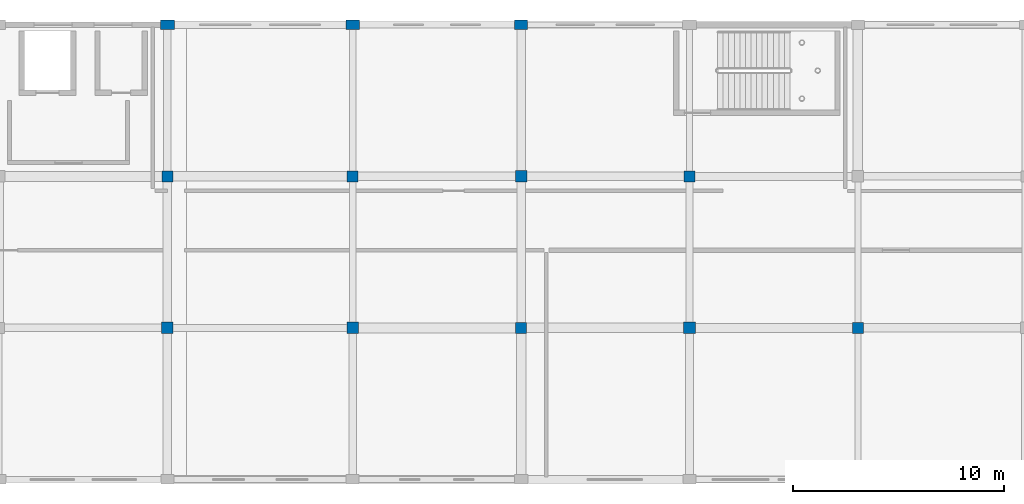
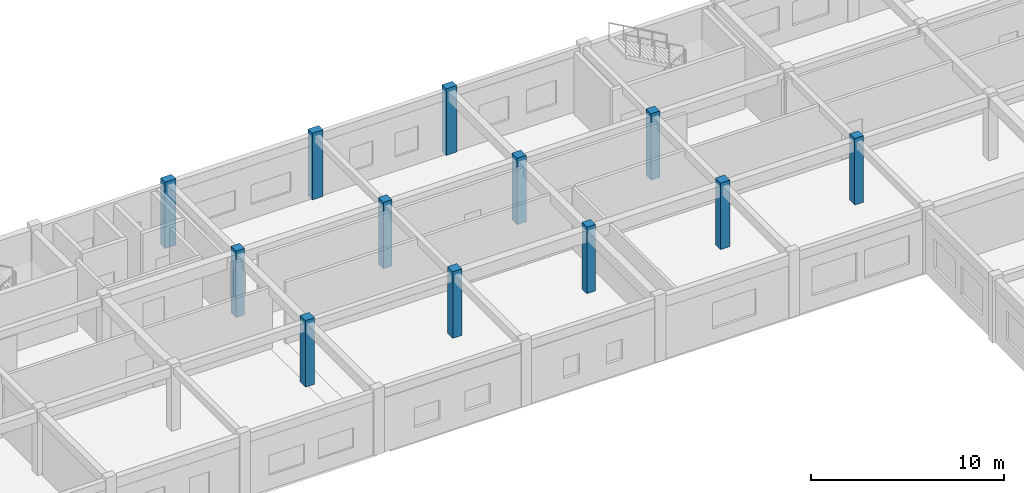
# One storey, part 3 of 19: 12 columns.
"""IFC4 building model written with IfcOpenShell, lengths in metres."""

import ifcopenshell
import ifcopenshell.guid

model = None  # the IFC model being written
_history = None  # IfcOwnerHistory: only IFC2X3 demands one
_inside = {}  # id of a spatial element -> (the spatial element, [elements in it])
_under = {}  # id of a project, library or spatial element -> (it, [spatial elements below it])
_declared = {}  # id of a project -> (the project, [libraries it declares])
_typed = {}  # id of a type object -> (the type object, [elements of that type])
_made_of = {}  # id of a material, layer set ... -> (it, [elements and type objects made of it])


def new_model(schema):
    """Start an empty IFC model of exactly this schema.

    Asked for "IFC4X3", IfcOpenShell would pick the latest addendum, in which some entities
    have other attributes; the version numbers below select the first issue.
    IFC2X3 requires an IfcOwnerHistory on every rooted entity: one is made here for all.
    """
    global model, _history
    if schema == "IFC4X3":
        model = ifcopenshell.file(schema_version=(4, 3, 0, 0))
    else:
        model = ifcopenshell.file(schema=schema)
    _inside.clear()
    _under.clear()
    _declared.clear()
    _typed.clear()
    _made_of.clear()
    _history = None
    if model.schema == "IFC2X3":
        org = make("IfcOrganization", Name="unknown")
        user = make(
            "IfcPersonAndOrganization",
            ThePerson=make("IfcPerson", FamilyName="unknown"),
            TheOrganization=org,
        )
        app = make(
            "IfcApplication",
            ApplicationDeveloper=org,
            Version="unknown",
            ApplicationFullName="unknown",
            ApplicationIdentifier="unknown",
        )
        _history = make(
            "IfcOwnerHistory",
            OwningUser=user,
            OwningApplication=app,
            ChangeAction="ADDED",
            CreationDate=0,
        )
    return model


def make(cls, **values):
    """One entity of the class cls with the attributes given. An attribute that is None is left unset."""
    return model.create_entity(
        cls, **{name: value for name, value in values.items() if value is not None}
    )


def rooted(cls, **values):
    """An entity with a GlobalId (a new one), such as an element, a storey or a relation."""
    return make(cls, GlobalId=ifcopenshell.guid.new(), OwnerHistory=_history, **values)


def si_unit(unit_type, name, prefix=None):
    """IfcSIUnit, for example si_unit("LENGTHUNIT", "METRE", prefix="MILLI")."""
    return make("IfcSIUnit", UnitType=unit_type, Prefix=prefix, Name=name)


def assignment(units):
    """IfcUnitAssignment: the units of a project."""
    return None if units is None else make("IfcUnitAssignment", Units=units)


def point(xyz):
    """IfcCartesianPoint."""
    return None if xyz is None else make("IfcCartesianPoint", Coordinates=xyz)


def direction(xyz):
    """IfcDirection."""
    return None if xyz is None else make("IfcDirection", DirectionRatios=xyz)


def frame(location, z_axis=None, x_axis=None):
    """IfcAxis2Placement3D, a coordinate frame: its origin and axes. An axis left out is left unset."""
    return make(
        "IfcAxis2Placement3D",
        Location=point(location),
        Axis=direction(z_axis),
        RefDirection=direction(x_axis),
    )


def frame_2d(location, x_axis=None):
    """IfcAxis2Placement2D, a coordinate frame in the plane: its origin and x axis."""
    return make(
        "IfcAxis2Placement2D", Location=point(location), RefDirection=direction(x_axis)
    )


def origin():
    """The frame at (0, 0, 0) with its axes left unset."""
    return frame((0.0, 0.0, 0.0))


def origin_2d():
    """The frame at (0, 0) in the plane with its x axis left unset."""
    return frame_2d((0.0, 0.0))


def place(relative_to, where):
    """IfcLocalPlacement: puts the frame where relative to a parent placement (None: the world)."""
    return make(
        "IfcLocalPlacement", PlacementRelTo=relative_to, RelativePlacement=where
    )


def context(
    kind, dimensions, precision=None, world=None, true_north=None, identifier=None
):
    """IfcGeometricRepresentationContext, for example the 3D "Model" context."""
    return make(
        "IfcGeometricRepresentationContext",
        ContextIdentifier=identifier,
        ContextType=kind,
        CoordinateSpaceDimension=dimensions,
        Precision=precision,
        WorldCoordinateSystem=world,
        TrueNorth=true_north,
    )


def subcontext(parent, identifier, kind, view, scale=None):
    """IfcGeometricRepresentationSubContext, for example "Body" below "Model"."""
    return make(
        "IfcGeometricRepresentationSubContext",
        ContextIdentifier=identifier,
        ContextType=kind,
        ParentContext=parent,
        TargetScale=scale,
        TargetView=view,
    )


def project(units=None, contexts=None):
    """IfcProject with its units and contexts."""
    return rooted(
        "IfcProject",
        Name="project",
        RepresentationContexts=contexts,
        UnitsInContext=assignment(units),
    )


def spatial(cls, under=None, at=None, **own):
    """A site, building, storey or space (cls), placed at a placement, below another one or the project."""
    s = rooted(cls, ObjectPlacement=at, **own)
    if under is not None:
        _under.setdefault(under.id(), (under, []))[1].append(s)
    return s


def profile(cls, at=None, kind="AREA", **sizes):
    """A parametric profile (cls). Its sizes go by their IFC names, for example OverallWidth=200.0."""
    return make(cls, ProfileType=kind, Position=at, **sizes)


def rectangle(**sizes):
    """IfcRectangleProfileDef."""
    return profile("IfcRectangleProfileDef", **sizes)


def extrude(swept, where, along, depth):
    """IfcExtrudedAreaSolid: the profile swept, set in the frame where, extruded along a direction by depth."""
    return make(
        "IfcExtrudedAreaSolid",
        SweptArea=swept,
        Position=where,
        ExtrudedDirection=direction(along),
        Depth=depth,
    )


def shape(context_of_items, identifier, shape_type, items):
    """IfcShapeRepresentation: the items that make up one representation, for example the "Body"."""
    return make(
        "IfcShapeRepresentation",
        ContextOfItems=context_of_items,
        RepresentationIdentifier=identifier,
        RepresentationType=shape_type,
        Items=items,
    )


def material(Name=None, Category=None):
    """IfcMaterial."""
    return make("IfcMaterial", Name=Name, Category=Category)


def material_profile(
    of_material, cross_section, Name=None, Category=None, Priority=None
):
    """IfcMaterialProfile: a cross section and its material."""
    return make(
        "IfcMaterialProfile",
        Name=Name,
        Material=of_material,
        Profile=cross_section,
        Priority=Priority,
        Category=Category,
    )


def profile_set(profiles, Name=None, composite=None):
    """IfcMaterialProfileSet."""
    return make(
        "IfcMaterialProfileSet",
        Name=Name,
        MaterialProfiles=profiles,
        CompositeProfile=composite,
    )


def made_of(thing, what):
    """Note that an element or type object is made of a material, layer set ...; save() writes the relation."""
    if what is not None:
        _made_of.setdefault(what.id(), (what, []))[1].append(thing)
    return thing


def type_object(cls, material=None, **own):
    """A type object (cls), such as IfcWallType, which elements share."""
    return made_of(rooted(cls, **own), material)


def element(
    cls,
    number,
    at=None,
    inside=None,
    cuts=None,
    type_object=None,
    material=None,
    context=None,
    identifier="Body",
    shape_type=None,
    held_by="IfcProductDefinitionShape",
    body=None,
    shapes=None,
    **own,
):
    """One element of the class cls, such as IfcWall. Its Tag is "e" and its number.

    at: its placement. inside: the storey or other place that contains it. cuts: it is an
    opening in that element (IfcRelVoidsElement). A single representation is given by context,
    identifier, shape_type and body (its items); several are given by shapes. held_by: the class
    of the entity that holds the representations. save() writes the other relations.
    """
    e = rooted(cls, Tag="e%d" % number, ObjectPlacement=at, **own)
    if body is not None:
        shapes = [shape(context, identifier, shape_type, body)]
    if shapes is not None:
        e.Representation = make(held_by, Representations=shapes)
    if inside is not None:
        _inside.setdefault(inside.id(), (inside, []))[1].append(e)
    if cuts is not None:
        rooted(
            "IfcRelVoidsElement", RelatingBuildingElement=cuts, RelatedOpeningElement=e
        )
    if type_object is not None:
        _typed.setdefault(type_object.id(), (type_object, []))[1].append(e)
    return made_of(e, material)


def aggregate(whole, parts):
    """IfcRelAggregates: a whole, such as a stair, and the parts it consists of."""
    return rooted("IfcRelAggregates", RelatingObject=whole, RelatedObjects=parts)


def save(model, path):
    """Write the relations noted so far, then the file.

    IfcRelAggregates (storeys below a building ...), IfcRelContainedInSpatialStructure (elements
    in a storey), IfcRelDefinesByType, IfcRelAssociatesMaterial and IfcRelDeclares: one each for
    every whole, place, type object, material and project.
    """
    for whole, parts in _under.values():
        aggregate(whole, parts)
    for where, things in _inside.values():
        rooted(
            "IfcRelContainedInSpatialStructure",
            RelatedElements=things,
            RelatingStructure=where,
        )
    for kind, things in _typed.values():
        rooted("IfcRelDefinesByType", RelatedObjects=things, RelatingType=kind)
    for what, things in _made_of.values():
        rooted("IfcRelAssociatesMaterial", RelatedObjects=things, RelatingMaterial=what)
    for by, libraries in _declared.values():
        rooted("IfcRelDeclares", RelatingContext=by, RelatedDefinitions=libraries)
    model.write(path)


model = new_model("IFC4")

# Units and contexts
model_context = context("Model", 3, precision=1e-05, world=origin(), true_north=direction((0.0, 1.0)))
body_context = subcontext(model_context, "Body", "Model", "MODEL_VIEW")
ifc_project = project(units=[si_unit("LENGTHUNIT", "METRE"), si_unit("AREAUNIT", "SQUARE_METRE"), si_unit("VOLUMEUNIT", "CUBIC_METRE"), si_unit("PLANEANGLEUNIT", "RADIAN"), si_unit("MASSUNIT", "GRAM", prefix="KILO")], contexts=[model_context])

# Site, building, storey
site_placement = place(None, origin())
site = spatial("IfcSite", under=ifc_project, at=site_placement, CompositionType="ELEMENT")
building_placement = place(site_placement, origin())
building = spatial("IfcBuilding", under=site, at=building_placement, Name="Kharva Crest Polytechnic", CompositionType="ELEMENT")
storey_placement = place(building_placement, frame((0.0, 0.0, 21.60009765625)))
storey = spatial("IfcBuildingStorey", under=building, at=storey_placement, Name="L05", CompositionType="ELEMENT", Elevation=21.60009765625)

# Columns
ifc_material = material(Name="Concrete C40/50", Category="concrete")
ifc_material_profile_1 = material_profile(ifc_material, rectangle(XDim=0.6201171875, YDim=0.449951171875, at=origin_2d()), Name="RECT 620 X 450")
ifc_profile_set_1 = profile_set([ifc_material_profile_1], Name="Concrete C40/50")
column_type_1 = type_object("IfcColumnType", Name="COL-EXT-620X450", PredefinedType="COLUMN", material=ifc_profile_set_1)
column_placement = place(storey_placement, frame((136.800048828125, 122.0, 0.0), z_axis=(0.0, 0.0, 1.0), x_axis=(1.0, 0.0, 0.0)))
element("IfcColumn", 1, at=column_placement, inside=storey, type_object=column_type_1, Name="L05 Column 18/S", PredefinedType="COLUMN", context=body_context, shape_type="SweptSolid", body=[
    extrude(rectangle(XDim=0.6201171875, YDim=0.449951171875, at=origin_2d()), origin(), (0.0, 0.0, 1.0), 4.199951171875),
])
ifc_material_profile_2 = material_profile(ifc_material, rectangle(XDim=0.64990234375, YDim=0.449951171875, at=origin_2d()), Name="RECT 650 X 450")
ifc_profile_set_2 = profile_set([ifc_material_profile_2], Name="Concrete C40/50")
column_type_2 = type_object("IfcColumnType", Name="COL-EXT-650X450", PredefinedType="COLUMN", material=ifc_profile_set_2)
for number, where, z_axis, x_axis, name in (
    (2, (120.0, 122.0, 0.0), (0.0, 0.0, 1.0), (1.0, 0.0, 0.0), "L05 Column 16/S"),
    (3, (128.800048828125, 122.0, 0.0), (0.0, 0.0, 1.0), (1.0, 0.0, 0.0), "L05 Column 17/S"),
):
    element("IfcColumn", number, at=place(storey_placement, frame(where, z_axis=z_axis, x_axis=x_axis)), inside=storey, type_object=column_type_2, Name=name, PredefinedType="COLUMN", context=body_context, shape_type="SweptSolid", body=[
        extrude(rectangle(XDim=0.64990234375, YDim=0.449951171875, at=origin_2d()), origin(), (0.0, 0.0, 1.0), 4.199951171875),
    ])
ifc_material_profile_3 = material_profile(ifc_material, rectangle(XDim=0.52001953125, YDim=0.52001953125, at=origin_2d()), Name="RECT 520 X 520")
ifc_profile_set_3 = profile_set([ifc_material_profile_3], Name="Concrete C40/50")
column_type_3 = type_object("IfcColumnType", Name="COL-INT-520X520", PredefinedType="COLUMN", material=ifc_profile_set_3)
for number, where, z_axis, x_axis, name in (
    (4, (120.0, 114.800048828125, 0.0), (0.0, 0.0, 1.0), (1.0, 0.0, 0.0), "L05 Column 16/R"),
    (5, (128.800048828125, 114.800048828125, 0.0), (0.0, 0.0, 1.0), (1.0, 0.0, 0.0), "L05 Column 17/R"),
    (6, (136.800048828125, 107.60009765625, 0.0), (0.0, 0.0, 1.0), (1.0, 0.0, 0.0), "L05 Column 18/Q"),
    (7, (144.800048828125, 114.800048828125, 0.0), (0.0, 0.0, 1.0), (1.0, 0.0, 0.0), "L05 Column 19/R"),
    (8, (152.800048828125, 107.60009765625, 0.0), (0.0, 0.0, 1.0), (1.0, 0.0, 0.0), "L05 Column 20/Q"),
):
    element("IfcColumn", number, at=place(storey_placement, frame(where, z_axis=z_axis, x_axis=x_axis)), inside=storey, type_object=column_type_3, Name=name, PredefinedType="COLUMN", context=body_context, shape_type="SweptSolid", body=[
        extrude(rectangle(XDim=0.52001953125, YDim=0.52001953125, at=origin_2d()), origin(), (0.0, 0.0, 1.0), 4.199951171875),
    ])
ifc_material_profile_4 = material_profile(ifc_material, rectangle(XDim=0.550048828125, YDim=0.550048828125, at=origin_2d()), Name="RECT 550 X 550")
ifc_profile_set_4 = profile_set([ifc_material_profile_4], Name="Concrete C40/50")
column_type_4 = type_object("IfcColumnType", Name="COL-INT-550X550", PredefinedType="COLUMN", material=ifc_profile_set_4)
for number, where, z_axis, x_axis, name in (
    (9, (120.0, 107.60009765625, 0.0), (0.0, 0.0, 1.0), (1.0, 0.0, 0.0), "L05 Column 16/Q"),
    (10, (128.800048828125, 107.60009765625, 0.0), (0.0, 0.0, 1.0), (1.0, 0.0, 0.0), "L05 Column 17/Q"),
    (11, (136.800048828125, 114.800048828125, 0.0), (0.0, 0.0, 1.0), (1.0, 0.0, 0.0), "L05 Column 18/R"),
    (12, (144.800048828125, 107.60009765625, 0.0), (0.0, 0.0, 1.0), (1.0, 0.0, 0.0), "L05 Column 19/Q"),
):
    element("IfcColumn", number, at=place(storey_placement, frame(where, z_axis=z_axis, x_axis=x_axis)), inside=storey, type_object=column_type_4, Name=name, PredefinedType="COLUMN", context=body_context, shape_type="SweptSolid", body=[
        extrude(rectangle(XDim=0.550048828125, YDim=0.550048828125, at=origin_2d()), origin(), (0.0, 0.0, 1.0), 4.199951171875),
    ])

save(model, "model.ifc")
